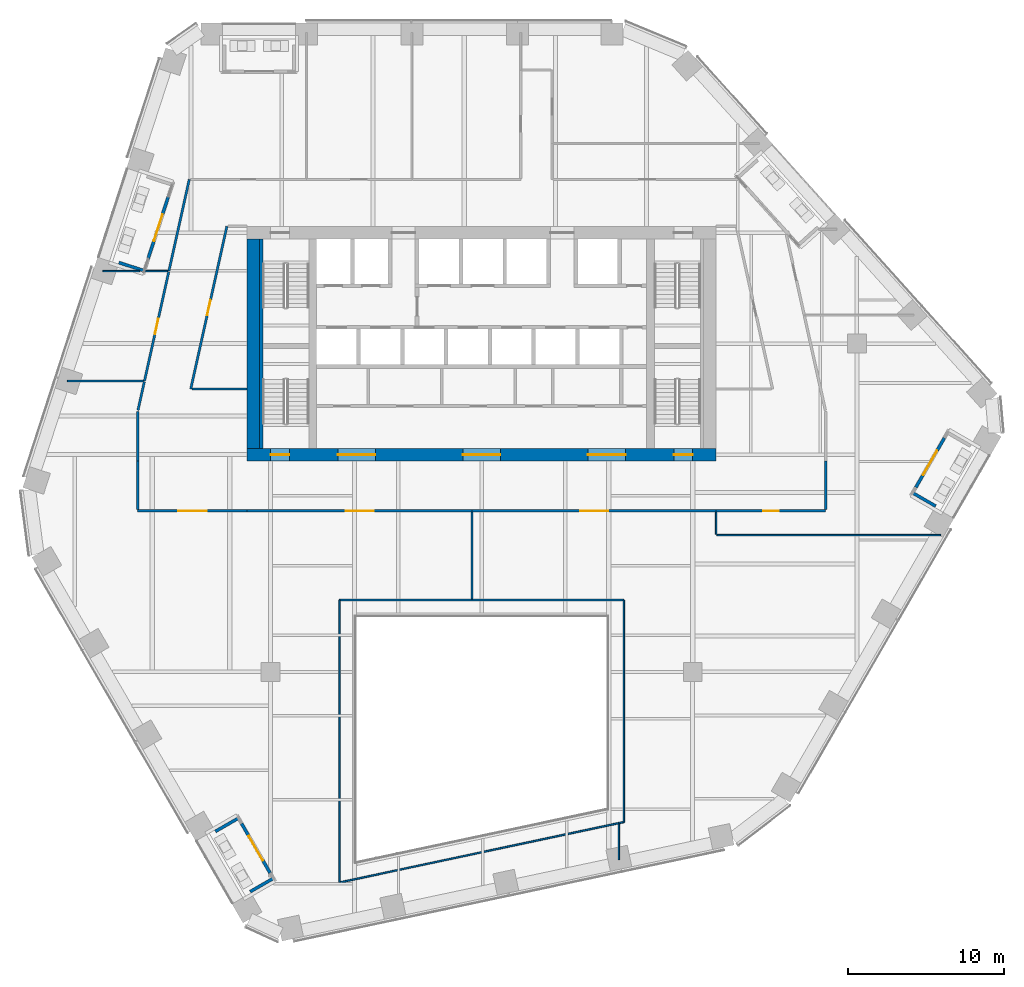
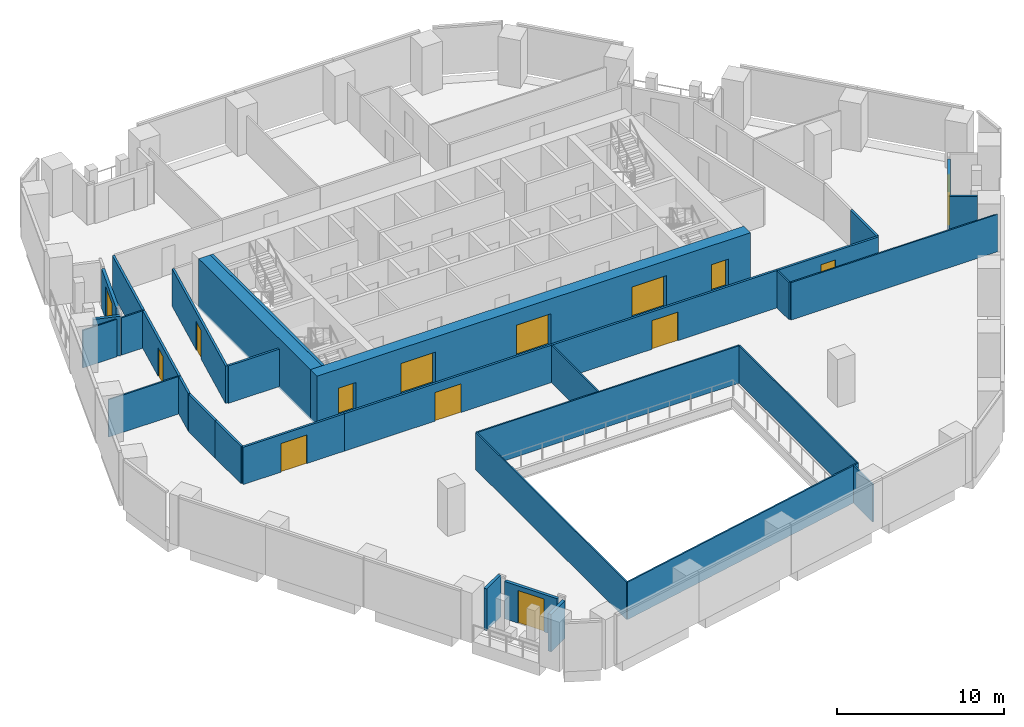
# One storey, part 19 of 26: 33 walls, 14 doors, 14 openings.
"""IFC4 building model written with IfcOpenShell, lengths in metres."""

from ifc_helpers import new_model, si_unit, direction, frame, frame_2d, origin, place, context, subcontext, project, spatial, rectangle, extrude, material, layer, layer_set, type_object, element, fill, save


model = new_model("IFC4")

# Units and contexts
model_context = context("Model", 3, precision=1e-05, world=origin(), true_north=direction((0.0, 1.0)))
body_context = subcontext(model_context, "Body", "Model", "MODEL_VIEW")
ifc_project = project(units=[si_unit("LENGTHUNIT", "METRE"), si_unit("AREAUNIT", "SQUARE_METRE"), si_unit("VOLUMEUNIT", "CUBIC_METRE"), si_unit("PLANEANGLEUNIT", "RADIAN"), si_unit("MASSUNIT", "GRAM", prefix="KILO")], contexts=[model_context])

# Site, building, storey
site_placement = place(None, origin())
site = spatial("IfcSite", under=ifc_project, at=site_placement, CompositionType="ELEMENT")
building_placement = place(site_placement, origin())
building = spatial("IfcBuilding", under=site, at=building_placement, Name="Isthmus Gate Tower", CompositionType="ELEMENT")
storey_placement = place(building_placement, frame((0.0, 0.0, 144.39990234375)))
storey = spatial("IfcBuildingStorey", under=building, at=storey_placement, Name="L35", CompositionType="ELEMENT", Elevation=144.39990234375)

# Walls
ifc_material_1 = material(Name="Fire-rated laminated glass in steel frame", Category="steel")
ifc_layer_1 = layer(ifc_material_1, 0.10009765625)
ifc_layer_set_1 = layer_set([ifc_layer_1], Name="ATRIUM SCREEN GLAZED WALL 100 120 MIN")
wall_type_1 = type_object("IfcWallType", Name="ATRIUM SCREEN GLAZED WALL 100 120 MIN", PredefinedType="PARTITIONING", material=ifc_layer_set_1)
wall_1_placement = place(storey_placement, frame((-9.10009765625, -8.89990234375, 0.0), z_axis=(0.0, 0.0, 1.0), x_axis=(1.0, 0.0, 0.0)))
element("IfcWall", 1, at=wall_1_placement, inside=storey, type_object=wall_type_1, Name="L35 atrium screen", PredefinedType="PARTITIONING", context=body_context, shape_type="SweptSolid", body=[
    extrude(rectangle(XDim=18.2001953125, YDim=0.10009765625, at=frame_2d((9.10009765625, 0.0))), origin(), (0.0, 0.0, 1.0), 2.7412109375),
])
wall_2_placement = place(storey_placement, frame((9.10009765625, -8.89990234375, 0.0), z_axis=(0.0, 0.0, 1.0), x_axis=(0.0, -1.0, 0.0)))
element("IfcWall", 2, at=wall_2_placement, inside=storey, type_object=wall_type_1, Name="L35 atrium screen", PredefinedType="PARTITIONING", context=body_context, shape_type="SweptSolid", body=[
    extrude(rectangle(XDim=14.200927734375, YDim=0.10009765625, at=frame_2d((7.1005859375, 0.0))), origin(), (0.0, 0.0, 1.0), 2.7412109375),
])
wall_3_placement = place(storey_placement, frame((9.10009765625, -23.100830078125, 0.0), z_axis=(0.0, 0.0, 1.0), x_axis=(-0.978146710971, -0.207915876778, 0.0)))
element("IfcWall", 3, at=wall_3_placement, inside=storey, type_object=wall_type_1, Name="L35 atrium screen", PredefinedType="PARTITIONING", context=body_context, shape_type="SweptSolid", body=[
    extrude(rectangle(XDim=18.60693359375, YDim=0.10009765625, at=frame_2d((9.303466796875, 0.0))), origin(), (0.0, 0.0, 1.0), 2.7412109375),
])
wall_4_placement = place(storey_placement, frame((-9.10009765625, -26.969482421875, 0.0), z_axis=(0.0, 0.0, 1.0), x_axis=(0.0, 1.0, 0.0)))
element("IfcWall", 4, at=wall_4_placement, inside=storey, type_object=wall_type_1, Name="L35 atrium screen", PredefinedType="PARTITIONING", context=body_context, shape_type="SweptSolid", body=[
    extrude(rectangle(XDim=18.069580078125, YDim=0.10009765625, at=frame_2d((9.03466796875, 0.0))), origin(), (0.0, 0.0, 1.0), 2.7412109375),
])

# Wall, opening, door
ifc_material_2 = material(Name="Gypsum board on steel studs, fire-rated", Category="steel")
ifc_layer_2 = layer(ifc_material_2, 0.14990234375)
ifc_layer_set_2 = layer_set([ifc_layer_2], Name="CORRIDOR WALL 150 60 MIN")
wall_type_2 = type_object("IfcWallType", Name="CORRIDOR WALL 150 60 MIN", PredefinedType="PARTITIONING", material=ifc_layer_set_2)
wall_5_placement = place(storey_placement, frame((-0.616943359375, -3.199951171875, 0.0), z_axis=(0.0, 0.0, 1.0), x_axis=(-1.0, 0.0, 0.0)))
wall_5 = element("IfcWall", 5, at=wall_5_placement, inside=storey, type_object=wall_type_2, Name="L35 Corridor Wall 150 60 Min", PredefinedType="PARTITIONING", context=body_context, shape_type="SweptSolid", body=[
    extrude(rectangle(XDim=14.383056640625, YDim=0.14990234375, at=frame_2d((7.19140625, 0.0))), origin(), (0.0, 0.0, 1.0), 2.7412109375),
])
opening_1_placement = place(wall_5_placement, frame((6.29150390625, 0.0, 0.0)))
opening_1 = element("IfcOpeningElement", 6, at=opening_1_placement, cuts=wall_5, Name="Opening DT-T3B-11", PredefinedType="OPENING", context=body_context, shape_type="SweptSolid", body=[
    extrude(rectangle(XDim=1.800048828125, YDim=2.10009765625, at=frame_2d((0.89990234375, 1.050048828125))), frame((0.0, 0.0849609375, 0.0), z_axis=(0.0, -1.0, 0.0), x_axis=(1.0, 0.0, 0.0)), (0.0, 0.0, 1.0), 0.169921875),
])
ifc_material_3 = material(Name="Solid core timber door leaf, fire-rated", Category="wood")
door_type_1 = type_object("IfcDoorType", Name="FIRE DOOR ROOM 1800 X 2100 60 MIN", OperationType="DOUBLE_DOOR_DOUBLE_SWING", PredefinedType="DOOR", material=ifc_material_3)
door_1_placement = place(opening_1_placement, origin())
door_1 = element("IfcDoor", 7, at=door_1_placement, inside=storey, type_object=door_type_1, Name="L35 room door", OperationType="DOUBLE_DOOR_DOUBLE_SWING", OverallHeight=2.10009765625, OverallWidth=1.800048828125, PredefinedType="DOOR", context=body_context, shape_type="SweptSolid", body=[
    extrude(rectangle(XDim=1.800048828125, YDim=2.10009765625, at=frame_2d((0.89990234375, 1.050048828125))), frame((0.0, 0.02490234375, 0.0), z_axis=(0.0, -1.0, 0.0), x_axis=(1.0, 0.0, 0.0)), (0.0, 0.0, 1.0), 0.050048828125),
])
fill(opening_1, door_1)

wall_6_placement = place(storey_placement, frame((15.0, -3.199951171875, 0.0), z_axis=(0.0, 0.0, 1.0), x_axis=(-1.0, 0.0, 0.0)))
wall_6 = element("IfcWall", 8, at=wall_6_placement, inside=storey, type_object=wall_type_2, Name="L35 Corridor Wall 150 60 Min", PredefinedType="PARTITIONING", context=body_context, shape_type="SweptSolid", body=[
    extrude(rectangle(XDim=15.616943359375, YDim=0.14990234375, at=frame_2d((7.80859375, 0.0))), origin(), (0.0, 0.0, 1.0), 2.7412109375),
])
opening_2_placement = place(wall_6_placement, frame((6.908447265625, 0.0, 0.0)))
opening_2 = element("IfcOpeningElement", 9, at=opening_2_placement, cuts=wall_6, Name="Opening DT-T3B-13", PredefinedType="OPENING", context=body_context, shape_type="SweptSolid", body=[
    extrude(rectangle(XDim=1.800048828125, YDim=2.10009765625, at=frame_2d((0.89990234375, 1.050048828125))), frame((0.0, 0.0849609375, 0.0), z_axis=(0.0, -1.0, 0.0), x_axis=(1.0, 0.0, 0.0)), (0.0, 0.0, 1.0), 0.169921875),
])
door_2_placement = place(opening_2_placement, origin())
door_2 = element("IfcDoor", 10, at=door_2_placement, inside=storey, type_object=door_type_1, Name="L35 room door", OperationType="DOUBLE_DOOR_DOUBLE_SWING", OverallHeight=2.10009765625, OverallWidth=1.800048828125, PredefinedType="DOOR", context=body_context, shape_type="SweptSolid", body=[
    extrude(rectangle(XDim=1.800048828125, YDim=2.10009765625, at=frame_2d((0.89990234375, 1.050048828125))), frame((0.0, 0.02490234375, 0.0), z_axis=(0.0, -1.0, 0.0), x_axis=(1.0, 0.0, 0.0)), (0.0, 0.0, 1.0), 0.050048828125),
])
fill(opening_2, door_2)

wall_7_placement = place(storey_placement, frame((22.0, -3.199951171875, 0.0), z_axis=(0.0, 0.0, 1.0), x_axis=(-1.0, 0.0, 0.0)))
wall_7 = element("IfcWall", 11, at=wall_7_placement, inside=storey, type_object=wall_type_2, Name="L35 Corridor Wall 150 60 Min", PredefinedType="PARTITIONING", context=body_context, shape_type="SweptSolid", body=[
    extrude(rectangle(XDim=7.0, YDim=0.14990234375, at=frame_2d((3.5, 0.0))), origin(), (0.0, 0.0, 1.0), 2.7412109375),
])
opening_3_placement = place(wall_7_placement, frame((3.0, 0.0, 0.0)))
opening_3 = element("IfcOpeningElement", 12, at=opening_3_placement, cuts=wall_7, Name="Opening DT-T3B-10", PredefinedType="OPENING", context=body_context, shape_type="SweptSolid", body=[
    extrude(rectangle(XDim=1.0, YDim=2.10009765625, at=frame_2d((0.5, 1.050048828125))), frame((0.0, 0.0849609375, 0.0), z_axis=(0.0, -1.0, 0.0), x_axis=(1.0, 0.0, 0.0)), (0.0, 0.0, 1.0), 0.169921875),
])
ifc_material_4 = material(Name="Solid core timber door leaf, fire-rated", Category="wood")
door_type_2 = type_object("IfcDoorType", Name="FIRE DOOR ROOM 1000 X 2100 60 MIN", OperationType="SINGLE_SWING_LEFT", PredefinedType="DOOR", material=ifc_material_4)
door_3_placement = place(opening_3_placement, origin())
door_3 = element("IfcDoor", 13, at=door_3_placement, inside=storey, type_object=door_type_2, Name="L35 room door", OperationType="SINGLE_SWING_RIGHT", OverallHeight=2.10009765625, OverallWidth=1.0, PredefinedType="DOOR", context=body_context, shape_type="SweptSolid", body=[
    extrude(rectangle(XDim=1.0, YDim=2.10009765625, at=frame_2d((0.5, 1.050048828125))), frame((0.0, 0.02490234375, 0.0), z_axis=(0.0, -1.0, 0.0), x_axis=(1.0, 0.0, 0.0)), (0.0, 0.0, 1.0), 0.050048828125),
])
fill(opening_3, door_3)

# Wall
wall_8_placement = place(storey_placement, frame((22.0, 0.0, 0.0), z_axis=(0.0, 0.0, 1.0), x_axis=(0.0, -1.0, 0.0)))
element("IfcWall", 14, at=wall_8_placement, inside=storey, type_object=wall_type_2, Name="L35 Corridor Wall 150 60 Min", PredefinedType="PARTITIONING", context=body_context, shape_type="SweptSolid", body=[
    extrude(rectangle(XDim=3.125, YDim=0.14990234375, at=frame_2d((1.5625, 0.0))), origin(), (0.0, 0.0, 1.0), 2.7412109375),
])

# Wall, opening, door
wall_9_placement = place(storey_placement, frame((-15.0, -3.199951171875, 0.0), z_axis=(0.0, 0.0, 1.0), x_axis=(-1.0, 0.0, 0.0)))
wall_9 = element("IfcWall", 15, at=wall_9_placement, inside=storey, type_object=wall_type_2, Name="L35 Corridor Wall 150 60 Min", PredefinedType="PARTITIONING", context=body_context, shape_type="SweptSolid", body=[
    extrude(rectangle(XDim=7.0, YDim=0.14990234375, at=frame_2d((3.5, 0.0))), origin(), (0.0, 0.0, 1.0), 2.7412109375),
])
opening_4_placement = place(wall_9_placement, frame((2.60009765625, 0.0, 0.0)))
opening_4 = element("IfcOpeningElement", 16, at=opening_4_placement, cuts=wall_9, Name="Opening DT-T3B-12", PredefinedType="OPENING", context=body_context, shape_type="SweptSolid", body=[
    extrude(rectangle(XDim=1.800048828125, YDim=2.10009765625, at=frame_2d((0.89990234375, 1.050048828125))), frame((0.0, 0.0849609375, 0.0), z_axis=(0.0, -1.0, 0.0), x_axis=(1.0, 0.0, 0.0)), (0.0, 0.0, 1.0), 0.169921875),
])
door_4_placement = place(opening_4_placement, origin())
door_4 = element("IfcDoor", 17, at=door_4_placement, inside=storey, type_object=door_type_1, Name="L35 room door", OperationType="DOUBLE_DOOR_DOUBLE_SWING", OverallHeight=2.10009765625, OverallWidth=1.800048828125, PredefinedType="DOOR", context=body_context, shape_type="SweptSolid", body=[
    extrude(rectangle(XDim=1.800048828125, YDim=2.10009765625, at=frame_2d((0.89990234375, 1.050048828125))), frame((0.0, 0.02490234375, 0.0), z_axis=(0.0, -1.0, 0.0), x_axis=(1.0, 0.0, 0.0)), (0.0, 0.0, 1.0), 0.050048828125),
])
fill(opening_4, door_4)

wall_10_placement = place(storey_placement, frame((-16.297119140625, 15.0, 0.0), z_axis=(0.0, 0.0, 1.0), x_axis=(-0.216903766867, -0.976192991124, 0.0)))
wall_10 = element("IfcWall", 18, at=wall_10_placement, inside=storey, type_object=wall_type_2, Name="L35 Corridor Wall 150 60 Min", PredefinedType="PARTITIONING", context=body_context, shape_type="SweptSolid", body=[
    extrude(rectangle(XDim=10.653564453125, YDim=0.14990234375, at=frame_2d((5.32666015625, 0.0))), origin(), (0.0, 0.0, 1.0), 2.7412109375),
])
opening_5_placement = place(wall_10_placement, frame((4.826904296875, 0.0, 0.0)))
opening_5 = element("IfcOpeningElement", 19, at=opening_5_placement, cuts=wall_10, Name="Opening DT-T3B-08", PredefinedType="OPENING", context=body_context, shape_type="SweptSolid", body=[
    extrude(rectangle(XDim=1.0, YDim=2.10009765625, at=frame_2d((0.5, 1.050048828125))), frame((0.0, 0.0849609375, 0.0), z_axis=(0.0, -1.0, 0.0), x_axis=(1.0, 0.0, 0.0)), (0.0, 0.0, 1.0), 0.169921875),
])
door_5_placement = place(opening_5_placement, origin())
door_5 = element("IfcDoor", 20, at=door_5_placement, inside=storey, type_object=door_type_2, Name="L35 room door", OperationType="SINGLE_SWING_RIGHT", OverallHeight=2.10009765625, OverallWidth=1.0, PredefinedType="DOOR", context=body_context, shape_type="SweptSolid", body=[
    extrude(rectangle(XDim=1.0, YDim=2.10009765625, at=frame_2d((0.5, 1.050048828125))), frame((0.0, 0.02490234375, 0.0), z_axis=(0.0, -1.0, 0.0), x_axis=(1.0, 0.0, 0.0)), (0.0, 0.0, 1.0), 0.050048828125),
])
fill(opening_5, door_5)

# Wall
wall_11_placement = place(storey_placement, frame((-20.0048828125, 12.14111328125, 0.0), z_axis=(0.0, 0.0, 1.0), x_axis=(0.216934764879, 0.976186103049, 0.0)))
element("IfcWall", 21, at=wall_11_placement, inside=storey, type_object=wall_type_2, Name="L35 Corridor Wall 150 60 Min", PredefinedType="PARTITIONING", context=body_context, shape_type="SweptSolid", body=[
    extrude(rectangle(XDim=6.001708984375, YDim=0.14990234375, at=frame_2d((3.0009765625, 0.0))), origin(), (0.0, 0.0, 1.0), 2.7412109375),
])

# Wall, opening, door
wall_12_placement = place(storey_placement, frame((-21.56689453125, 5.111083984375, 0.0), z_axis=(0.0, 0.0, 1.0), x_axis=(0.216883466585, 0.976197501494, 0.0)))
wall_12 = element("IfcWall", 22, at=wall_12_placement, inside=storey, type_object=wall_type_2, Name="L35 Corridor Wall 150 60 Min", PredefinedType="PARTITIONING", context=body_context, shape_type="SweptSolid", body=[
    extrude(rectangle(XDim=7.1513671875, YDim=0.14990234375, at=frame_2d((3.57568359375, 0.0))), origin(), (0.0, 0.0, 1.0), 2.7412109375),
])
opening_6_placement = place(wall_12_placement, frame((3.07568359375, 0.0, 0.0)))
opening_6 = element("IfcOpeningElement", 23, at=opening_6_placement, cuts=wall_12, Name="Opening DT-T3B-07", PredefinedType="OPENING", context=body_context, shape_type="SweptSolid", body=[
    extrude(rectangle(XDim=1.0, YDim=2.10009765625, at=frame_2d((0.5, 1.050048828125))), frame((0.0, 0.0849609375, 0.0), z_axis=(0.0, -1.0, 0.0), x_axis=(1.0, 0.0, 0.0)), (0.0, 0.0, 1.0), 0.169921875),
])
door_6_placement = place(opening_6_placement, origin())
door_6 = element("IfcDoor", 24, at=door_6_placement, inside=storey, type_object=door_type_2, Name="L35 room door", OperationType="SINGLE_SWING_RIGHT", OverallHeight=2.10009765625, OverallWidth=1.0, PredefinedType="DOOR", context=body_context, shape_type="SweptSolid", body=[
    extrude(rectangle(XDim=1.0, YDim=2.10009765625, at=frame_2d((0.5, 1.050048828125))), frame((0.0, 0.02490234375, 0.0), z_axis=(0.0, -1.0, 0.0), x_axis=(1.0, 0.0, 0.0)), (0.0, 0.0, 1.0), 0.050048828125),
])
fill(opening_6, door_6)

# Walls
wall_13_placement = place(storey_placement, frame((-18.532958984375, 4.60009765625, 0.0), z_axis=(0.0, 0.0, 1.0), x_axis=(1.0, 0.0, 0.0)))
element("IfcWall", 25, at=wall_13_placement, inside=storey, type_object=wall_type_2, Name="L35 Corridor Wall 150 60 Min", PredefinedType="PARTITIONING", context=body_context, shape_type="SweptSolid", body=[
    extrude(rectangle(XDim=3.532958984375, YDim=0.14990234375, at=frame_2d((1.7666015625, 0.0))), origin(), (0.0, 0.0, 1.0), 2.7412109375),
])
wall_14_placement = place(storey_placement, frame((-22.0, -3.125, 0.0), z_axis=(0.0, 0.0, 1.0), x_axis=(0.0, 1.0, 0.0)))
element("IfcWall", 26, at=wall_14_placement, inside=storey, type_object=wall_type_2, Name="L35 Corridor Wall 150 60 Min", PredefinedType="PARTITIONING", context=body_context, shape_type="SweptSolid", body=[
    extrude(rectangle(XDim=3.125, YDim=0.14990234375, at=frame_2d((1.5625, 0.0))), origin(), (0.0, 0.0, 1.0), 2.7412109375),
])
wall_15_placement = place(storey_placement, frame((-22.0, 0.0, 0.0), z_axis=(0.0, 0.0, 1.0), x_axis=(0.0, 1.0, 0.0)))
element("IfcWall", 27, at=wall_15_placement, inside=storey, type_object=wall_type_2, Name="L35 Corridor Wall 150 60 Min", PredefinedType="PARTITIONING", context=body_context, shape_type="SweptSolid", body=[
    extrude(rectangle(XDim=3.1650390625, YDim=0.14990234375, at=frame_2d((1.58251953125, 0.0))), origin(), (0.0, 0.0, 1.0), 2.7412109375),
])
wall_16_placement = place(storey_placement, frame((-21.983642578125, 3.23828125, 0.0), z_axis=(0.0, 0.0, 1.0), x_axis=(0.217151800435, 0.976137846601, 0.0)))
element("IfcWall", 28, at=wall_16_placement, inside=storey, type_object=wall_type_2, Name="L35 Corridor Wall 150 60 Min", PredefinedType="PARTITIONING", context=body_context, shape_type="SweptSolid", body=[
    extrude(rectangle(XDim=1.86865234375, YDim=0.14990234375, at=frame_2d((0.934326171875, 0.0))), origin(), (0.0, 0.0, 1.0), 2.7412109375),
])

# Wall, opening, door
ifc_material_5 = material(Name="Precast concrete C40/50", Category="concrete")
ifc_layer_3 = layer(ifc_material_5, 0.199951171875)
ifc_layer_set_3 = layer_set([ifc_layer_3], Name="LOGGIA WALL 200")
wall_type_3 = type_object("IfcWallType", Name="LOGGIA WALL 200", PredefinedType="SOLIDWALL", material=ifc_layer_set_3)
wall_17_placement = place(storey_placement, frame((-20.04345703125, 16.91064453125, 0.0), z_axis=(0.0, 0.0, 1.0), x_axis=(-0.30901640812, -0.951056706781, 0.0)))
wall_17 = element("IfcWall", 29, at=wall_17_placement, inside=storey, type_object=wall_type_3, Name="LOGGIA BACK WALL", PredefinedType="SOLIDWALL", context=body_context, shape_type="SweptSolid", body=[
    extrude(rectangle(XDim=4.199951171875, YDim=0.199951171875, at=frame_2d((2.10009765625, 0.0))), origin(), (0.0, 0.0, 1.0), 2.893798828125),
])
opening_7_placement = place(wall_17_placement, frame((1.199951171875, 0.0, 0.0)))
opening_7 = element("IfcOpeningElement", 30, at=opening_7_placement, cuts=wall_17, Name="Opening DE35-02", PredefinedType="OPENING", context=body_context, shape_type="SweptSolid", body=[
    extrude(rectangle(XDim=1.800048828125, YDim=2.39990234375, at=frame_2d((0.89990234375, 1.199951171875))), frame((0.0, 0.10986328125, 0.0), z_axis=(0.0, -1.0, 0.0), x_axis=(1.0, 0.0, 0.0)), (0.0, 0.0, 1.0), 0.219970703125),
])
ifc_material_6 = material(Name="Aluminium, pale champagne anodised, laminated glass", Category="aluminium")
door_type_3 = type_object("IfcDoorType", Name="LOGGIA DOOR SLIDING 1800 X 2400", OperationType="DOUBLE_DOOR_SLIDING", PredefinedType="DOOR", material=ifc_material_6)
door_7_placement = place(opening_7_placement, origin())
door_7 = element("IfcDoor", 31, at=door_7_placement, inside=storey, type_object=door_type_3, Name="DOOR DE35-02", OperationType="SINGLE_SWING_LEFT", OverallHeight=2.39990234375, OverallWidth=1.800048828125, PredefinedType="DOOR", context=body_context, shape_type="SweptSolid", body=[
    extrude(rectangle(XDim=1.800048828125, YDim=2.39990234375, at=frame_2d((0.89990234375, 1.199951171875))), frame((0.0, 0.02490234375, 0.0), z_axis=(0.0, -1.0, 0.0), x_axis=(1.0, 0.0, 0.0)), (0.0, 0.0, 1.0), 0.050048828125),
])
fill(opening_7, door_7)

# Wall
wall_18_placement = place(storey_placement, frame((-23.203857421875, 12.68505859375, 0.0), z_axis=(0.0, 0.0, 1.0), x_axis=(0.951034068731, -0.309086072338, 0.0)))
element("IfcWall", 32, at=wall_18_placement, inside=storey, type_object=wall_type_3, Name="LOGGIA SIDE WALL", PredefinedType="SOLIDWALL", context=body_context, shape_type="SweptSolid", body=[
    extrude(rectangle(XDim=1.68408203125, YDim=0.199951171875, at=frame_2d((0.842041015625, 0.0))), origin(), (0.0, 0.0, 1.0), 2.89990234375),
])

# Wall, opening, door
wall_19_placement = place(storey_placement, frame((-15.358154296875, -23.198974609375, 0.0), z_axis=(0.0, 0.0, 1.0), x_axis=(0.500023511883, -0.866011828767, 0.0)))
wall_19 = element("IfcWall", 33, at=wall_19_placement, inside=storey, type_object=wall_type_3, Name="LOGGIA BACK WALL", PredefinedType="SOLIDWALL", context=body_context, shape_type="SweptSolid", body=[
    extrude(rectangle(XDim=3.650146484375, YDim=0.199951171875, at=frame_2d((1.8251953125, 0.0))), origin(), (0.0, 0.0, 1.0), 2.7412109375),
])
opening_8_placement = place(wall_19_placement, frame((0.925048828125, 0.0, 0.0)))
opening_8 = element("IfcOpeningElement", 34, at=opening_8_placement, cuts=wall_19, Name="Opening DE35-03", PredefinedType="OPENING", context=body_context, shape_type="SweptSolid", body=[
    extrude(rectangle(XDim=1.800048828125, YDim=2.39990234375, at=frame_2d((0.89990234375, 1.199951171875))), frame((0.0, 0.10986328125, 0.0), z_axis=(0.0, -1.0, 0.0), x_axis=(1.0, 0.0, 0.0)), (0.0, 0.0, 1.0), 0.219970703125),
])
door_8_placement = place(opening_8_placement, origin())
door_8 = element("IfcDoor", 35, at=door_8_placement, inside=storey, type_object=door_type_3, Name="DOOR DE35-03", OperationType="SINGLE_SWING_LEFT", OverallHeight=2.39990234375, OverallWidth=1.800048828125, PredefinedType="DOOR", context=body_context, shape_type="SweptSolid", body=[
    extrude(rectangle(XDim=1.800048828125, YDim=2.39990234375, at=frame_2d((0.89990234375, 1.199951171875))), frame((0.0, 0.02490234375, 0.0), z_axis=(0.0, -1.0, 0.0), x_axis=(1.0, 0.0, 0.0)), (0.0, 0.0, 1.0), 0.050048828125),
])
fill(opening_8, door_8)

# Walls
wall_20_placement = place(storey_placement, frame((-17.0302734375, -23.70263671875, 0.0), z_axis=(0.0, 0.0, 1.0), x_axis=(0.865994838069, 0.500052937636, 0.0)))
element("IfcWall", 36, at=wall_20_placement, inside=storey, type_object=wall_type_3, Name="LOGGIA SIDE WALL", PredefinedType="SOLIDWALL", context=body_context, shape_type="SweptSolid", body=[
    extrude(rectangle(XDim=1.683837890625, YDim=0.199951171875, at=frame_2d((0.841796875, 0.0))), origin(), (0.0, 0.0, 1.0), 3.050048828125),
])
wall_21_placement = place(storey_placement, frame((-14.80517578125, -27.556396484375, 0.0), z_axis=(0.0, 0.0, 1.0), x_axis=(0.86605762053, 0.499944194808, 0.0)))
element("IfcWall", 37, at=wall_21_placement, inside=storey, type_object=wall_type_3, Name="LOGGIA SIDE WALL", PredefinedType="SOLIDWALL", context=body_context, shape_type="SweptSolid", body=[
    extrude(rectangle(XDim=1.683837890625, YDim=0.199951171875, at=frame_2d((0.841796875, 0.0))), origin(), (0.0, 0.0, 1.0), 2.7412109375),
])

# Wall, opening, door
wall_22_placement = place(storey_placement, frame((27.77001953125, -1.700927734375, 0.0), z_axis=(0.0, 0.0, 1.0), x_axis=(0.500002310952, 0.866024069551, 0.0)))
wall_22 = element("IfcWall", 38, at=wall_22_placement, inside=storey, type_object=wall_type_3, Name="LOGGIA BACK WALL", PredefinedType="SOLIDWALL", context=body_context, shape_type="SweptSolid", body=[
    extrude(rectangle(XDim=3.64990234375, YDim=0.199951171875, at=frame_2d((1.824951171875, 0.0))), origin(), (0.0, 0.0, 1.0), 2.89990234375),
])
opening_9_placement = place(wall_22_placement, frame((0.925048828125, 0.0, 0.0)))
opening_9 = element("IfcOpeningElement", 39, at=opening_9_placement, cuts=wall_22, Name="Opening DE35-04", PredefinedType="OPENING", context=body_context, shape_type="SweptSolid", body=[
    extrude(rectangle(XDim=1.800048828125, YDim=2.39990234375, at=frame_2d((0.89990234375, 1.199951171875))), frame((0.0, 0.10986328125, 0.0), z_axis=(0.0, -1.0, 0.0), x_axis=(1.0, 0.0, 0.0)), (0.0, 0.0, 1.0), 0.219970703125),
])
door_9_placement = place(opening_9_placement, origin())
door_9 = element("IfcDoor", 40, at=door_9_placement, inside=storey, type_object=door_type_3, Name="DOOR DE35-04", OperationType="SINGLE_SWING_LEFT", OverallHeight=2.39990234375, OverallWidth=1.800048828125, PredefinedType="DOOR", context=body_context, shape_type="SweptSolid", body=[
    extrude(rectangle(XDim=1.800048828125, YDim=2.39990234375, at=frame_2d((0.89990234375, 1.199951171875))), frame((0.0, 0.02490234375, 0.0), z_axis=(0.0, -1.0, 0.0), x_axis=(1.0, 0.0, 0.0)), (0.0, 0.0, 1.0), 0.050048828125),
])
fill(opening_9, door_9)

# Wall
wall_23_placement = place(storey_placement, frame((29.042236328125, -2.8974609375, 0.0), z_axis=(0.0, 0.0, 1.0), x_axis=(-0.866031085144, 0.499990159468, 0.0)))
element("IfcWall", 41, at=wall_23_placement, inside=storey, type_object=wall_type_3, Name="LOGGIA SIDE WALL", PredefinedType="SOLIDWALL", context=body_context, shape_type="SweptSolid", body=[
    extrude(rectangle(XDim=1.68408203125, YDim=0.199951171875, at=frame_2d((0.842041015625, 0.0))), origin(), (0.0, 0.0, 1.0), 3.050048828125),
])

# Wall, openings, doors
ifc_material_7 = material(Name="Concrete f'c 60 MPa", Category="concrete")
ifc_layer_4 = layer(ifc_material_7, 0.800048828125)
ifc_layer_set_4 = layer_set([ifc_layer_4], Name="RC CORE WALL 800 F'C 60")
wall_type_4 = type_object("IfcWallType", Name="RC CORE WALL 800 F'C 60", PredefinedType="SOLIDWALL", material=ifc_layer_set_4)
wall_24_placement = place(storey_placement, frame((-15.0, 0.39990234375, -0.14990234375), z_axis=(0.0, 0.0, 1.0), x_axis=(1.0, 0.0, 0.0)))
wall_24 = element("IfcWall", 42, at=wall_24_placement, inside=storey, type_object=wall_type_4, Name="str-corewall-L35-S", PredefinedType="SOLIDWALL", context=body_context, shape_type="SweptSolid", body=[
    extrude(rectangle(XDim=30.0, YDim=0.800048828125, at=frame_2d((15.0, 0.0))), origin(), (0.0, 0.0, 1.0), 3.64990234375),
])
opening_10_placement = place(wall_24_placement, frame((5.800048828125, 0.0, 0.14990234375)))
opening_10 = element("IfcOpeningElement", 43, at=opening_10_placement, cuts=wall_24, Name="Opening DC-A10-10", PredefinedType="OPENING", context=body_context, shape_type="SweptSolid", body=[
    extrude(rectangle(XDim=2.39990234375, YDim=2.39990234375, at=frame_2d((1.199951171875, 1.199951171875))), frame((0.0, 0.409912109375, 0.0), z_axis=(0.0, -1.0, 0.0), x_axis=(1.0, 0.0, 0.0)), (0.0, 0.0, 1.0), 0.820068359375),
])
opening_11_placement = place(wall_24_placement, frame((13.800048828125, 0.0, 0.14990234375)))
opening_11 = element("IfcOpeningElement", 44, at=opening_11_placement, cuts=wall_24, Name="Opening DC-A10-11", PredefinedType="OPENING", context=body_context, shape_type="SweptSolid", body=[
    extrude(rectangle(XDim=2.39990234375, YDim=2.39990234375, at=frame_2d((1.199951171875, 1.199951171875))), frame((0.0, 0.409912109375, 0.0), z_axis=(0.0, -1.0, 0.0), x_axis=(1.0, 0.0, 0.0)), (0.0, 0.0, 1.0), 0.820068359375),
])
opening_12_placement = place(wall_24_placement, frame((21.800048828125, 0.0, 0.14990234375)))
opening_12 = element("IfcOpeningElement", 45, at=opening_12_placement, cuts=wall_24, Name="Opening DC-A10-12", PredefinedType="OPENING", context=body_context, shape_type="SweptSolid", body=[
    extrude(rectangle(XDim=2.39990234375, YDim=2.39990234375, at=frame_2d((1.199951171875, 1.199951171875))), frame((0.0, 0.409912109375, 0.0), z_axis=(0.0, -1.0, 0.0), x_axis=(1.0, 0.0, 0.0)), (0.0, 0.0, 1.0), 0.820068359375),
])
opening_13_placement = place(wall_24_placement, frame((1.5, 0.0, 0.14990234375)))
opening_13 = element("IfcOpeningElement", 46, at=opening_13_placement, cuts=wall_24, Name="Opening DC-A10-17", PredefinedType="OPENING", context=body_context, shape_type="SweptSolid", body=[
    extrude(rectangle(XDim=1.199951171875, YDim=2.10009765625, at=frame_2d((0.60009765625, 1.050048828125))), frame((0.0, 0.409912109375, 0.0), z_axis=(0.0, -1.0, 0.0), x_axis=(1.0, 0.0, 0.0)), (0.0, 0.0, 1.0), 0.820068359375),
])
opening_14_placement = place(wall_24_placement, frame((27.300048828125, 0.0, 0.14990234375)))
opening_14 = element("IfcOpeningElement", 47, at=opening_14_placement, cuts=wall_24, Name="Opening DC-A10-18", PredefinedType="OPENING", context=body_context, shape_type="SweptSolid", body=[
    extrude(rectangle(XDim=1.199951171875, YDim=2.10009765625, at=frame_2d((0.60009765625, 1.050048828125))), frame((0.0, 0.409912109375, 0.0), z_axis=(0.0, -1.0, 0.0), x_axis=(1.0, 0.0, 0.0)), (0.0, 0.0, 1.0), 0.820068359375),
])
ifc_material_8 = material(Name="Laminated safety glass in steel frame, fire-rated", Category="steel")
door_type_4 = type_object("IfcDoorType", Name="LOBBY ENTRANCE FIRE DOOR 2400 X 2400 60 MIN", OperationType="DOUBLE_DOOR_DOUBLE_SWING", PredefinedType="DOOR", material=ifc_material_8)
door_10_placement = place(opening_10_placement, origin())
door_10 = element("IfcDoor", 48, at=door_10_placement, inside=storey, type_object=door_type_4, Name="Lobby Entrance PS-W", OperationType="DOUBLE_DOOR_DOUBLE_SWING", OverallHeight=2.39990234375, OverallWidth=2.39990234375, PredefinedType="DOOR", context=body_context, shape_type="SweptSolid", body=[
    extrude(rectangle(XDim=2.39990234375, YDim=2.39990234375, at=frame_2d((1.199951171875, 1.199951171875))), frame((0.0, 0.02490234375, 0.0), z_axis=(0.0, -1.0, 0.0), x_axis=(1.0, 0.0, 0.0)), (0.0, 0.0, 1.0), 0.050048828125),
])
fill(opening_10, door_10)
door_11_placement = place(opening_11_placement, origin())
door_11 = element("IfcDoor", 49, at=door_11_placement, inside=storey, type_object=door_type_4, Name="Lobby Entrance PS-C", OperationType="DOUBLE_DOOR_DOUBLE_SWING", OverallHeight=2.39990234375, OverallWidth=2.39990234375, PredefinedType="DOOR", context=body_context, shape_type="SweptSolid", body=[
    extrude(rectangle(XDim=2.39990234375, YDim=2.39990234375, at=frame_2d((1.199951171875, 1.199951171875))), frame((0.0, 0.02490234375, 0.0), z_axis=(0.0, -1.0, 0.0), x_axis=(1.0, 0.0, 0.0)), (0.0, 0.0, 1.0), 0.050048828125),
])
fill(opening_11, door_11)
door_12_placement = place(opening_12_placement, origin())
door_12 = element("IfcDoor", 50, at=door_12_placement, inside=storey, type_object=door_type_4, Name="Lobby Entrance PS-E", OperationType="DOUBLE_DOOR_DOUBLE_SWING", OverallHeight=2.39990234375, OverallWidth=2.39990234375, PredefinedType="DOOR", context=body_context, shape_type="SweptSolid", body=[
    extrude(rectangle(XDim=2.39990234375, YDim=2.39990234375, at=frame_2d((1.199951171875, 1.199951171875))), frame((0.0, 0.02490234375, 0.0), z_axis=(0.0, -1.0, 0.0), x_axis=(1.0, 0.0, 0.0)), (0.0, 0.0, 1.0), 0.050048828125),
])
fill(opening_12, door_12)
ifc_material_9 = material(Name="Steel door leaf, fire-rated", Category="steel")
door_type_5 = type_object("IfcDoorType", Name="STAIR FIRE DOOR 1200 X 2100 90 MIN", OperationType="SINGLE_SWING_LEFT", PredefinedType="DOOR", material=ifc_material_9)
door_13_placement = place(opening_13_placement, origin())
door_13 = element("IfcDoor", 51, at=door_13_placement, inside=storey, type_object=door_type_5, Name="Exit Stair 7 Door", OperationType="SINGLE_SWING_LEFT", OverallHeight=2.10009765625, OverallWidth=1.199951171875, PredefinedType="DOOR", context=body_context, shape_type="SweptSolid", body=[
    extrude(rectangle(XDim=1.199951171875, YDim=2.10009765625, at=frame_2d((0.60009765625, 1.050048828125))), frame((0.0, 0.02490234375, 0.0), z_axis=(0.0, -1.0, 0.0), x_axis=(1.0, 0.0, 0.0)), (0.0, 0.0, 1.0), 0.050048828125),
])
fill(opening_13, door_13)
door_14_placement = place(opening_14_placement, origin())
door_14 = element("IfcDoor", 52, at=door_14_placement, inside=storey, type_object=door_type_5, Name="Exit Stair 8 Door", OperationType="SINGLE_SWING_RIGHT", OverallHeight=2.10009765625, OverallWidth=1.199951171875, PredefinedType="DOOR", context=body_context, shape_type="SweptSolid", body=[
    extrude(rectangle(XDim=1.199951171875, YDim=2.10009765625, at=frame_2d((0.60009765625, 1.050048828125))), frame((0.0, 0.02490234375, 0.0), z_axis=(0.0, -1.0, 0.0), x_axis=(1.0, 0.0, 0.0)), (0.0, 0.0, 1.0), 0.050048828125),
])
fill(opening_14, door_14)

# Walls
wall_25_placement = place(storey_placement, frame((-14.60009765625, 0.800048828125, -0.14990234375), z_axis=(0.0, 0.0, 1.0), x_axis=(0.0, 1.0, 0.0)))
element("IfcWall", 53, at=wall_25_placement, inside=storey, type_object=wall_type_4, Name="str-corewall-L35-W", PredefinedType="SOLIDWALL", context=body_context, shape_type="SweptSolid", body=[
    extrude(rectangle(XDim=13.39990234375, YDim=0.800048828125, at=frame_2d((6.699951171875, 0.0))), origin(), (0.0, 0.0, 1.0), 3.64990234375),
])
ifc_material_10 = material(Name="Gypsum board on steel studs, fire-rated", Category="steel")
ifc_layer_5 = layer(ifc_material_10, 0.10009765625)
ifc_layer_set_5 = layer_set([ifc_layer_5], Name="ROOM PARTITION 100 30 MIN")
wall_type_5 = type_object("IfcWallType", Name="ROOM PARTITION 100 30 MIN", PredefinedType="PARTITIONING", material=ifc_layer_set_5)
wall_26_placement = place(storey_placement, frame((-24.221923828125, 12.14111328125, 0.0), z_axis=(0.0, 0.0, 1.0), x_axis=(1.0, 0.0, 0.0)))
element("IfcWall", 54, at=wall_26_placement, inside=storey, type_object=wall_type_5, Name="L35 Room Partition 100 30 Min", PredefinedType="PARTITIONING", context=body_context, shape_type="SweptSolid", body=[
    extrude(rectangle(XDim=2.3388671875, YDim=0.10009765625, at=frame_2d((1.16943359375, 0.0))), origin(), (0.0, 0.0, 1.0), 2.7412109375),
])
wall_27_placement = place(storey_placement, frame((-21.54638671875, 12.14111328125, 0.0), z_axis=(0.0, 0.0, 1.0), x_axis=(1.0, 0.0, 0.0)))
element("IfcWall", 55, at=wall_27_placement, inside=storey, type_object=wall_type_5, Name="L35 Room Partition 100 30 Min", PredefinedType="PARTITIONING", context=body_context, shape_type="SweptSolid", body=[
    extrude(rectangle(XDim=1.46630859375, YDim=0.10009765625, at=frame_2d((0.733154296875, 0.0))), origin(), (0.0, 0.0, 1.0), 2.7412109375),
])
wall_28_placement = place(storey_placement, frame((-26.506103515625, 5.111083984375, 0.0), z_axis=(0.0, 0.0, 1.0), x_axis=(1.0, 0.0, 0.0)))
element("IfcWall", 56, at=wall_28_placement, inside=storey, type_object=wall_type_5, Name="L35 Room Partition 100 30 Min", PredefinedType="PARTITIONING", context=body_context, shape_type="SweptSolid", body=[
    extrude(rectangle(XDim=4.863037109375, YDim=0.10009765625, at=frame_2d((2.431640625, 0.0))), origin(), (0.0, 0.0, 1.0), 2.7412109375),
])
wall_29_placement = place(storey_placement, frame((15.050048828125, -4.75, 0.0), z_axis=(0.0, 0.0, 1.0), x_axis=(1.0, 0.0, 0.0)))
element("IfcWall", 57, at=wall_29_placement, inside=storey, type_object=wall_type_5, Name="L35 Room Partition 100 30 Min", PredefinedType="PARTITIONING", context=body_context, shape_type="SweptSolid", body=[
    extrude(rectangle(XDim=14.31396484375, YDim=0.10009765625, at=frame_2d((7.156982421875, 0.0))), origin(), (0.0, 0.0, 1.0), 2.7412109375),
])
wall_30_placement = place(storey_placement, frame((-0.616943359375, -8.85009765625, 0.0), z_axis=(0.0, 0.0, 1.0), x_axis=(0.0, 1.0, 0.0)))
element("IfcWall", 58, at=wall_30_placement, inside=storey, type_object=wall_type_5, Name="L35 Room Partition 100 30 Min", PredefinedType="PARTITIONING", context=body_context, shape_type="SweptSolid", body=[
    extrude(rectangle(XDim=5.5751953125, YDim=0.10009765625, at=frame_2d((2.78759765625, 0.0))), origin(), (0.0, 0.0, 1.0), 2.7412109375),
])
wall_31_placement = place(storey_placement, frame((8.77392578125, -25.52197265625, 0.0), z_axis=(0.0, 0.0, 1.0), x_axis=(0.0, 1.0, 0.0)))
element("IfcWall", 59, at=wall_31_placement, inside=storey, type_object=wall_type_5, Name="L35 Room Partition 100 30 Min", PredefinedType="PARTITIONING", context=body_context, shape_type="SweptSolid", body=[
    extrude(rectangle(XDim=2.301025390625, YDim=0.10009765625, at=frame_2d((1.150390625, 0.0))), origin(), (0.0, 0.0, 1.0), 2.7412109375),
])
wall_32_placement = place(storey_placement, frame((15.0, -4.699951171875, 0.0), z_axis=(0.0, 0.0, 1.0), x_axis=(0.0, 1.0, 0.0)))
element("IfcWall", 60, at=wall_32_placement, inside=storey, type_object=wall_type_5, Name="L35 Room Partition 100 30 Min", PredefinedType="PARTITIONING", context=body_context, shape_type="SweptSolid", body=[
    extrude(rectangle(XDim=1.425048828125, YDim=0.10009765625, at=frame_2d((0.71240234375, 0.0))), origin(), (0.0, 0.0, 1.0), 2.7412109375),
])
ifc_material_11 = material(Name="Concrete f'c 40 MPa", Category="concrete")
ifc_layer_6 = layer(ifc_material_11, 0.199951171875)
ifc_layer_set_6 = layer_set([ifc_layer_6], Name="STAIR ENCLOSURE WALL 200 180 MIN")
wall_type_6 = type_object("IfcWallType", Name="STAIR ENCLOSURE WALL 200 180 MIN", PredefinedType="SOLIDWALL", material=ifc_layer_set_6)
wall_33_placement = place(storey_placement, frame((-14.10009765625, 0.800048828125, 0.0), z_axis=(0.0, 0.0, 1.0), x_axis=(0.0, 1.0, 0.0)))
element("IfcWall", 61, at=wall_33_placement, inside=storey, type_object=wall_type_6, Name="L35 STAIR ENCLOSURE WALL 200 180 MIN", PredefinedType="SOLIDWALL", context=body_context, shape_type="SweptSolid", body=[
    extrude(rectangle(XDim=13.39990234375, YDim=0.199951171875, at=frame_2d((6.699951171875, 0.0))), origin(), (0.0, 0.0, 1.0), 3.5),
])

save(model, "model.ifc")
